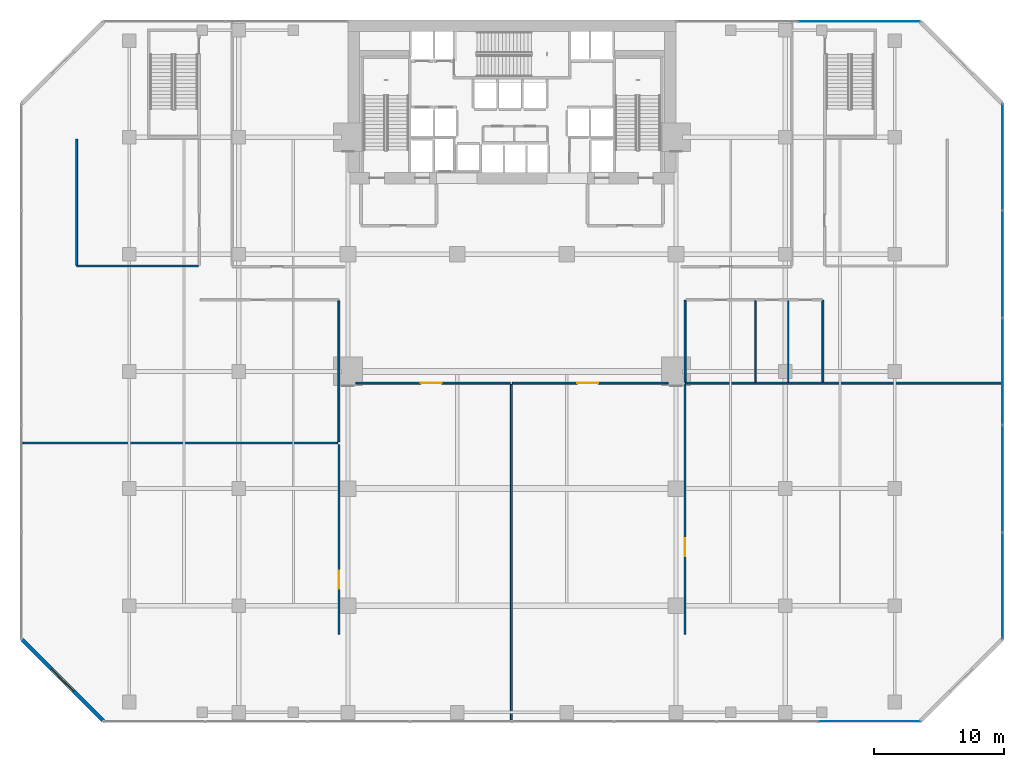
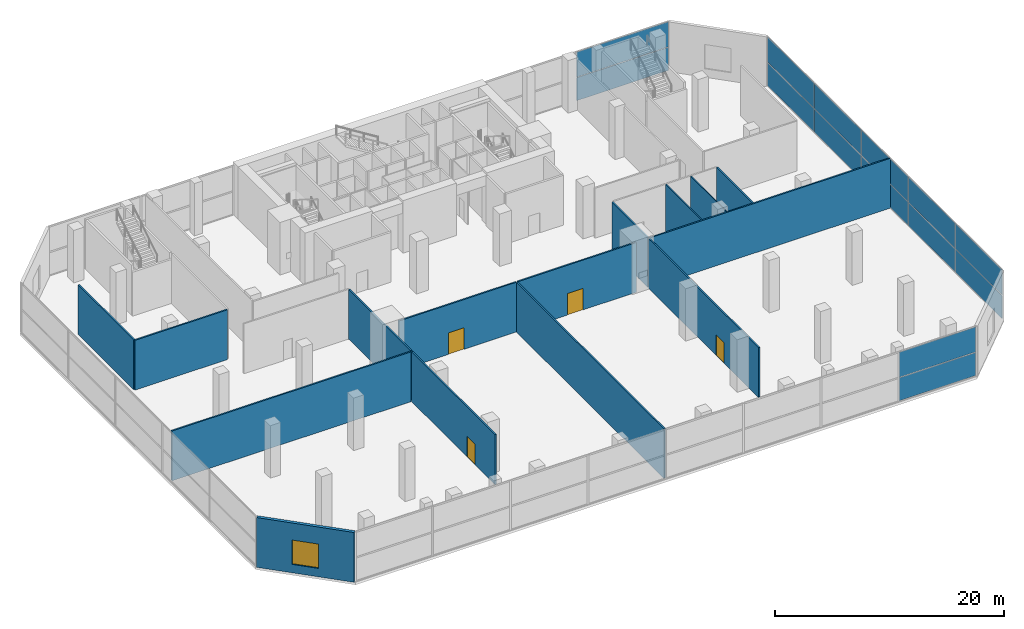
# One storey, part 34 of 40: 15 walls, 14 plates, 4 doors, 1 window, 5 openings, 3 elements without a shape of their own.
"""IFC4 building model written with IfcOpenShell, lengths in metres."""

from ifc_helpers import new_model, si_unit, direction, frame, frame_2d, origin, origin_2d, place, context, subcontext, project, spatial, rectangle, extrude, material, layer, layer_set, type_object, element, fill, aggregate, save


model = new_model("IFC4")

# Units and contexts
model_context = context("Model", 3, precision=1e-05, world=origin(), true_north=direction((0.0, 1.0)))
body_context = subcontext(model_context, "Body", "Model", "MODEL_VIEW")
ifc_project = project(units=[si_unit("LENGTHUNIT", "METRE"), si_unit("AREAUNIT", "SQUARE_METRE"), si_unit("VOLUMEUNIT", "CUBIC_METRE"), si_unit("PLANEANGLEUNIT", "RADIAN"), si_unit("MASSUNIT", "GRAM", prefix="KILO")], contexts=[model_context])

# Site, building, storey
site_placement = place(None, origin())
site = spatial("IfcSite", under=ifc_project, at=site_placement, CompositionType="ELEMENT")
building_placement = place(site_placement, origin())
building = spatial("IfcBuilding", under=site, at=building_placement, Name="Maruvema Waterfront Hotel and Observation Tower", CompositionType="ELEMENT")
storey_placement = place(building_placement, frame((0.0, 0.0, 10.85009765625)))
storey = spatial("IfcBuildingStorey", under=building, at=storey_placement, Name="L02", CompositionType="ELEMENT", Elevation=10.85009765625)

# Curtain wall, plates
ifc_material_1 = material(Name="Anodised bronze aluminium and solar-control low-E IGU", Category="aluminium")
ifc_layer_1 = layer(ifc_material_1, 0.159912109375, Name="Podium Waterfront Storefront Curtain Wall System CW-01")
ifc_layer_set_1 = layer_set([ifc_layer_1], Name="Anodised bronze aluminium and solar-control low-E IGU")
curtain_wall_type = type_object("IfcCurtainWallType", Name="Podium Waterfront Storefront Curtain Wall System CW-01", PredefinedType="USERDEFINED", material=ifc_layer_set_1)
curtain_wall_1_placement = place(storey_placement, origin())
curtain_wall_1 = element("IfcCurtainWall", 1, at=curtain_wall_1_placement, inside=storey, type_object=curtain_wall_type, Name="L02 Curtain Wall CW-L02-S", ObjectType="UNITISED CURTAIN WALL", PredefinedType="USERDEFINED")
ifc_material_2 = material(Name="Laminated low-E solar-control double glazing", Category="glass")
ifc_layer_2 = layer(ifc_material_2, 0.035888671875, Name="Solar Control Double-Glazed Curtain Panel 36 mm")
ifc_layer_set_2 = layer_set([ifc_layer_2], Name="Laminated low-E solar-control double glazing")
plate_type = type_object("IfcPlateType", Name="Solar Control Double-Glazed Curtain Panel 36 mm", PredefinedType="CURTAIN_PANEL", material=ifc_layer_set_2)
plate_1_placement = place(storey_placement, frame((65.260009765625, 0.1201171875, 0.059814453125), z_axis=(0.0, 0.0, 1.0), x_axis=(1.0, 0.0, 0.0)))
plate_1 = element("IfcPlate", 2, at=plate_1_placement, type_object=plate_type, Name="CW-01 panel 8.1", PredefinedType="CURTAIN_PANEL", context=body_context, shape_type="SweptSolid", body=[
    extrude(rectangle(XDim=7.760009765625, YDim=0.028076171875, at=origin_2d()), origin(), (0.0, 0.0, 1.0), 2.4599609375),
])
plate_2_placement = place(storey_placement, frame((65.260009765625, 0.1201171875, 2.580078125), z_axis=(0.0, 0.0, 1.0), x_axis=(1.0, 0.0, 0.0)))
plate_2 = element("IfcPlate", 3, at=plate_2_placement, type_object=plate_type, Name="CW-01 panel 8.2", PredefinedType="CURTAIN_PANEL", context=body_context, shape_type="SweptSolid", body=[
    extrude(rectangle(XDim=7.760009765625, YDim=0.028076171875, at=origin_2d()), origin(), (0.0, 0.0, 1.0), 2.679931640625),
])
aggregate(curtain_wall_1, [plate_1, plate_2])

curtain_wall_2_placement = place(storey_placement, origin())
curtain_wall_2 = element("IfcCurtainWall", 4, at=curtain_wall_2_placement, inside=storey, type_object=curtain_wall_type, Name="L02 Curtain Wall CW-L02-E", ObjectType="UNITISED CURTAIN WALL", PredefinedType="USERDEFINED")
plate_3_placement = place(storey_placement, frame((75.47998046875, 10.534912109375, 0.059814453125), z_axis=(0.0, 0.0, 1.0), x_axis=(0.0, 1.0, 0.0)))
plate_3 = element("IfcPlate", 5, at=plate_3_placement, type_object=plate_type, Name="CW-01 panel 1.1", PredefinedType="CURTAIN_PANEL", context=body_context, shape_type="SweptSolid", body=[
    extrude(rectangle(XDim=8.14990234375, YDim=0.028076171875, at=origin_2d()), origin(), (0.0, 0.0, 1.0), 2.4599609375),
])
plate_4_placement = place(storey_placement, frame((75.47998046875, 10.534912109375, 2.580078125), z_axis=(0.0, 0.0, 1.0), x_axis=(0.0, 1.0, 0.0)))
plate_4 = element("IfcPlate", 6, at=plate_4_placement, type_object=plate_type, Name="CW-01 panel 1.2", PredefinedType="CURTAIN_PANEL", context=body_context, shape_type="SweptSolid", body=[
    extrude(rectangle(XDim=8.14990234375, YDim=0.028076171875, at=origin_2d()), origin(), (0.0, 0.0, 1.0), 2.679931640625),
])
plate_5_placement = place(storey_placement, frame((75.47998046875, 18.760009765625, 0.059814453125), z_axis=(0.0, 0.0, 1.0), x_axis=(0.0, 1.0, 0.0)))
plate_5 = element("IfcPlate", 7, at=plate_5_placement, type_object=plate_type, Name="CW-01 panel 2.1", PredefinedType="CURTAIN_PANEL", context=body_context, shape_type="SweptSolid", body=[
    extrude(rectangle(XDim=8.179931640625, YDim=0.028076171875, at=origin_2d()), origin(), (0.0, 0.0, 1.0), 2.4599609375),
])
plate_6_placement = place(storey_placement, frame((75.47998046875, 18.760009765625, 2.580078125), z_axis=(0.0, 0.0, 1.0), x_axis=(0.0, 1.0, 0.0)))
plate_6 = element("IfcPlate", 8, at=plate_6_placement, type_object=plate_type, Name="CW-01 panel 2.2", PredefinedType="CURTAIN_PANEL", context=body_context, shape_type="SweptSolid", body=[
    extrude(rectangle(XDim=8.179931640625, YDim=0.028076171875, at=origin_2d()), origin(), (0.0, 0.0, 1.0), 2.679931640625),
])
plate_7_placement = place(storey_placement, frame((75.47998046875, 27.0, 0.059814453125), z_axis=(0.0, 0.0, 1.0), x_axis=(0.0, 1.0, 0.0)))
plate_7 = element("IfcPlate", 9, at=plate_7_placement, type_object=plate_type, Name="CW-01 panel 3.1", PredefinedType="CURTAIN_PANEL", context=body_context, shape_type="SweptSolid", body=[
    extrude(rectangle(XDim=8.179931640625, YDim=0.028076171875, at=origin_2d()), origin(), (0.0, 0.0, 1.0), 2.4599609375),
])
plate_8_placement = place(storey_placement, frame((75.47998046875, 27.0, 2.580078125), z_axis=(0.0, 0.0, 1.0), x_axis=(0.0, 1.0, 0.0)))
plate_8 = element("IfcPlate", 10, at=plate_8_placement, type_object=plate_type, Name="CW-01 panel 3.2", PredefinedType="CURTAIN_PANEL", context=body_context, shape_type="SweptSolid", body=[
    extrude(rectangle(XDim=8.179931640625, YDim=0.028076171875, at=origin_2d()), origin(), (0.0, 0.0, 1.0), 2.679931640625),
])
plate_9_placement = place(storey_placement, frame((75.47998046875, 35.239990234375, 0.059814453125), z_axis=(0.0, 0.0, 1.0), x_axis=(0.0, 1.0, 0.0)))
plate_9 = element("IfcPlate", 11, at=plate_9_placement, type_object=plate_type, Name="CW-01 panel 4.1", PredefinedType="CURTAIN_PANEL", context=body_context, shape_type="SweptSolid", body=[
    extrude(rectangle(XDim=8.179931640625, YDim=0.028076171875, at=origin_2d()), origin(), (0.0, 0.0, 1.0), 2.4599609375),
])
plate_10_placement = place(storey_placement, frame((75.47998046875, 35.239990234375, 2.580078125), z_axis=(0.0, 0.0, 1.0), x_axis=(0.0, 1.0, 0.0)))
plate_10 = element("IfcPlate", 12, at=plate_10_placement, type_object=plate_type, Name="CW-01 panel 4.2", PredefinedType="CURTAIN_PANEL", context=body_context, shape_type="SweptSolid", body=[
    extrude(rectangle(XDim=8.179931640625, YDim=0.028076171875, at=origin_2d()), origin(), (0.0, 0.0, 1.0), 2.679931640625),
])
plate_11_placement = place(storey_placement, frame((75.47998046875, 43.465087890625, 0.059814453125), z_axis=(0.0, 0.0, 1.0), x_axis=(0.0, 1.0, 0.0)))
plate_11 = element("IfcPlate", 13, at=plate_11_placement, type_object=plate_type, Name="CW-01 panel 5.1", PredefinedType="CURTAIN_PANEL", context=body_context, shape_type="SweptSolid", body=[
    extrude(rectangle(XDim=8.14990234375, YDim=0.028076171875, at=origin_2d()), origin(), (0.0, 0.0, 1.0), 2.4599609375),
])
plate_12_placement = place(storey_placement, frame((75.47998046875, 43.465087890625, 2.580078125), z_axis=(0.0, 0.0, 1.0), x_axis=(0.0, 1.0, 0.0)))
plate_12 = element("IfcPlate", 14, at=plate_12_placement, type_object=plate_type, Name="CW-01 panel 5.2", PredefinedType="CURTAIN_PANEL", context=body_context, shape_type="SweptSolid", body=[
    extrude(rectangle(XDim=8.14990234375, YDim=0.028076171875, at=origin_2d()), origin(), (0.0, 0.0, 1.0), 2.679931640625),
])
aggregate(curtain_wall_2, [plate_3, plate_4, plate_5, plate_6, plate_7, plate_8, plate_9, plate_10, plate_11, plate_12])

curtain_wall_3_placement = place(storey_placement, origin())
curtain_wall_3 = element("IfcCurtainWall", 15, at=curtain_wall_3_placement, inside=storey, type_object=curtain_wall_type, Name="L02 Curtain Wall CW-L02-NE", ObjectType="UNITISED CURTAIN WALL", PredefinedType="USERDEFINED")
plate_13_placement = place(storey_placement, frame((64.485107421875, 53.8798828125, 0.059814453125), z_axis=(0.0, 0.0, 1.0), x_axis=(-1.0, 0.0, 0.0)))
plate_13 = element("IfcPlate", 16, at=plate_13_placement, type_object=plate_type, Name="CW-01 panel 1.1", PredefinedType="CURTAIN_PANEL", context=body_context, shape_type="SweptSolid", body=[
    extrude(rectangle(XDim=9.31005859375, YDim=0.028076171875, at=origin_2d()), origin(), (0.0, 0.0, 1.0), 2.4599609375),
])
plate_14_placement = place(storey_placement, frame((64.485107421875, 53.8798828125, 2.580078125), z_axis=(0.0, 0.0, 1.0), x_axis=(-1.0, 0.0, 0.0)))
plate_14 = element("IfcPlate", 17, at=plate_14_placement, type_object=plate_type, Name="CW-01 panel 1.2", PredefinedType="CURTAIN_PANEL", context=body_context, shape_type="SweptSolid", body=[
    extrude(rectangle(XDim=9.31005859375, YDim=0.028076171875, at=origin_2d()), origin(), (0.0, 0.0, 1.0), 2.679931640625),
])
aggregate(curtain_wall_3, [plate_13, plate_14])

# Wall
ifc_material_3 = material(Name="Twin-stud acoustic gypsum drywall", Category="gypsum")
ifc_layer_3 = layer(ifc_material_3, 0.14990234375, Name="Acoustic Corridor and Suite Demising Wall 150 mm")
ifc_layer_set_3 = layer_set([ifc_layer_3], Name="Twin-stud acoustic gypsum drywall")
wall_type_1 = type_object("IfcWallType", Name="Acoustic Corridor and Suite Demising Wall 150 mm", PredefinedType="PARTITIONING", material=ifc_layer_set_3)
wall_1_placement = place(storey_placement, frame((37.75, 0.219970703125, 0.0), z_axis=(0.0, 0.0, 1.0), x_axis=(0.0, 1.0, 0.0)))
element("IfcWall", 18, at=wall_1_placement, inside=storey, type_object=wall_type_1, Name="L02 L02 Hall Partition 017", PredefinedType="PARTITIONING", context=body_context, shape_type="SweptSolid", body=[
    extrude(rectangle(XDim=25.780029296875, YDim=0.14990234375, at=frame_2d((12.89013671875, 0.0))), origin(), (0.0, 0.0, 1.0), 5.31982421875),
])

# Wall, opening, door
wall_2_placement = place(storey_placement, frame((25.800048828125, 26.10009765625, 0.0), z_axis=(0.0, 0.0, 1.0), x_axis=(1.0, 0.0, 0.0)))
wall_2 = element("IfcWall", 19, at=wall_2_placement, inside=storey, type_object=wall_type_1, Name="L02 L02 Hall S Wall 018", PredefinedType="PARTITIONING", context=body_context, shape_type="SweptSolid", body=[
    extrude(rectangle(XDim=11.8798828125, YDim=0.14990234375, at=frame_2d((5.93994140625, 0.0))), origin(), (0.0, 0.0, 1.0), 5.31982421875),
])
opening_1_placement = place(wall_2_placement, frame((5.0, 0.0, 0.0)))
opening_1 = element("IfcOpeningElement", 20, at=opening_1_placement, cuts=wall_2, Name="Opening DR-160", PredefinedType="OPENING", context=body_context, shape_type="SweptSolid", body=[
    extrude(rectangle(XDim=1.60009765625, YDim=2.300048828125, at=frame_2d((0.800048828125, 1.14990234375))), frame((0.0, 0.0849609375, 0.0), z_axis=(0.0, -1.0, 0.0), x_axis=(1.0, 0.0, 0.0)), (0.0, 0.0, 1.0), 0.169921875),
])
ifc_material_4 = material(Name="Acoustic veneered hardwood double leaf", Category="wood")
door_type_1 = type_object("IfcDoorType", Name="Ballroom and Lounge Double Door 1600x2300 mm", OperationType="DOUBLE_DOOR_SINGLE_SWING", PredefinedType="DOOR", material=ifc_material_4)
door_1_placement = place(opening_1_placement, origin())
door_1 = element("IfcDoor", 21, at=door_1_placement, inside=storey, type_object=door_type_1, Name="L02 Hall South Door", OperationType="DOUBLE_DOOR_SINGLE_SWING", OverallHeight=2.300048828125, OverallWidth=1.60009765625, PredefinedType="DOOR", context=body_context, shape_type="SweptSolid", body=[
    extrude(rectangle(XDim=1.60009765625, YDim=2.300048828125, at=frame_2d((0.800048828125, 1.14990234375))), frame((0.0, 0.02490234375, 0.0), z_axis=(0.0, -1.0, 0.0), x_axis=(1.0, 0.0, 0.0)), (0.0, 0.0, 1.0), 0.050048828125),
])
fill(opening_1, door_1)

wall_3_placement = place(storey_placement, frame((37.820068359375, 26.10009765625, 0.0), z_axis=(0.0, 0.0, 1.0), x_axis=(1.0, 0.0, 0.0)))
wall_3 = element("IfcWall", 22, at=wall_3_placement, inside=storey, type_object=wall_type_1, Name="L02 L02 Hall E Wall 019", PredefinedType="PARTITIONING", context=body_context, shape_type="SweptSolid", body=[
    extrude(rectangle(XDim=11.97998046875, YDim=0.14990234375, at=frame_2d((5.989990234375, 0.0))), origin(), (0.0, 0.0, 1.0), 5.31982421875),
])
opening_2_placement = place(wall_3_placement, frame((5.0, 0.0, 0.0)))
opening_2 = element("IfcOpeningElement", 23, at=opening_2_placement, cuts=wall_3, Name="Opening DR-160", PredefinedType="OPENING", context=body_context, shape_type="SweptSolid", body=[
    extrude(rectangle(XDim=1.60009765625, YDim=2.300048828125, at=frame_2d((0.800048828125, 1.14990234375))), frame((0.0, 0.0849609375, 0.0), z_axis=(0.0, -1.0, 0.0), x_axis=(1.0, 0.0, 0.0)), (0.0, 0.0, 1.0), 0.169921875),
])
door_2_placement = place(opening_2_placement, origin())
door_2 = element("IfcDoor", 24, at=door_2_placement, inside=storey, type_object=door_type_1, Name="L02 Hall East Door", OperationType="DOUBLE_DOOR_SINGLE_SWING", OverallHeight=2.300048828125, OverallWidth=1.60009765625, PredefinedType="DOOR", context=body_context, shape_type="SweptSolid", body=[
    extrude(rectangle(XDim=1.60009765625, YDim=2.300048828125, at=frame_2d((0.800048828125, 1.14990234375))), frame((0.0, 0.02490234375, 0.0), z_axis=(0.0, -1.0, 0.0), x_axis=(1.0, 0.0, 0.0)), (0.0, 0.0, 1.0), 0.050048828125),
])
fill(opening_2, door_2)

# Wall
wall_4_placement = place(storey_placement, frame((0.219970703125, 21.5, 0.0), z_axis=(0.0, 0.0, 1.0), x_axis=(1.0, 0.0, 0.0)))
element("IfcWall", 25, at=wall_4_placement, inside=storey, type_object=wall_type_1, Name="L02 L02 West Split 020", PredefinedType="PARTITIONING", context=body_context, shape_type="SweptSolid", body=[
    extrude(rectangle(XDim=24.179931640625, YDim=0.14990234375, at=frame_2d((12.08984375, 0.0))), origin(), (0.0, 0.0, 1.0), 5.31982421875),
])

# Wall, opening, door
wall_5_placement = place(storey_placement, frame((24.5, 6.800048828125, 0.0), z_axis=(0.0, 0.0, 1.0), x_axis=(0.0, 1.0, 0.0)))
wall_5 = element("IfcWall", 26, at=wall_5_placement, inside=storey, type_object=wall_type_1, Name="L02 L02 Kitchen East Wall 022", PredefinedType="PARTITIONING", context=body_context, shape_type="SweptSolid", body=[
    extrude(rectangle(XDim=14.599853515625, YDim=0.14990234375, at=frame_2d((7.2998046875, 0.0))), origin(), (0.0, 0.0, 1.0), 5.31982421875),
])
opening_3_placement = place(wall_5_placement, frame((3.5, 0.0, 0.0)))
opening_3 = element("IfcOpeningElement", 27, at=opening_3_placement, cuts=wall_5, Name="Opening DR-140", PredefinedType="OPENING", context=body_context, shape_type="SweptSolid", body=[
    extrude(rectangle(XDim=1.39990234375, YDim=2.199951171875, at=frame_2d((0.699951171875, 1.10009765625))), frame((0.0, 0.0849609375, 0.0), z_axis=(0.0, -1.0, 0.0), x_axis=(1.0, 0.0, 0.0)), (0.0, 0.0, 1.0), 0.169921875),
])
ifc_material_5 = material(Name="Anodised bronze framed acoustic glass leaf", Category="glass")
door_type_2 = type_object("IfcDoorType", Name="Conference and Restaurant Double Door 1400x2200 mm", OperationType="DOUBLE_DOOR_SINGLE_SWING", PredefinedType="DOOR", material=ifc_material_5)
door_3_placement = place(opening_3_placement, origin())
door_3 = element("IfcDoor", 28, at=door_3_placement, inside=storey, type_object=door_type_2, Name="L02 Banquet Kitchen Door", OperationType="DOUBLE_DOOR_SINGLE_SWING", OverallHeight=2.199951171875, OverallWidth=1.39990234375, PredefinedType="DOOR", context=body_context, shape_type="SweptSolid", body=[
    extrude(rectangle(XDim=1.39990234375, YDim=2.199951171875, at=frame_2d((0.699951171875, 1.10009765625))), frame((0.0, 0.02490234375, 0.0), z_axis=(0.0, -1.0, 0.0), x_axis=(1.0, 0.0, 0.0)), (0.0, 0.0, 1.0), 0.050048828125),
])
fill(opening_3, door_3)

# Walls
wall_6_placement = place(storey_placement, frame((24.5, 21.60009765625, 0.0), z_axis=(0.0, 0.0, 1.0), x_axis=(0.0, 1.0, 0.0)))
element("IfcWall", 29, at=wall_6_placement, inside=storey, type_object=wall_type_1, Name="L02 L02 Boardroom East Wall 023", PredefinedType="PARTITIONING", context=body_context, shape_type="SweptSolid", body=[
    extrude(rectangle(XDim=10.81982421875, YDim=0.14990234375, at=frame_2d((5.409912109375, 0.0))), origin(), (0.0, 0.0, 1.0), 5.31982421875),
])
wall_7_placement = place(storey_placement, frame((4.35009765625, 35.10009765625, 0.0), z_axis=(0.0, 0.0, 1.0), x_axis=(1.0, 0.0, 0.0)))
element("IfcWall", 30, at=wall_7_placement, inside=storey, type_object=wall_type_1, Name="L02 L02 Catering South Wall 027", PredefinedType="PARTITIONING", context=body_context, shape_type="SweptSolid", body=[
    extrude(rectangle(XDim=9.349853515625, YDim=0.14990234375, at=frame_2d((4.6748046875, 0.0))), origin(), (0.0, 0.0, 1.0), 5.31982421875),
])
wall_8_placement = place(storey_placement, frame((4.35009765625, 35.14990234375, 0.0), z_axis=(0.0, 0.0, 1.0), x_axis=(0.0, 1.0, 0.0)))
element("IfcWall", 31, at=wall_8_placement, inside=storey, type_object=wall_type_1, Name="L02 L02 Catering West Wall 028", PredefinedType="PARTITIONING", context=body_context, shape_type="SweptSolid", body=[
    extrude(rectangle(XDim=9.7001953125, YDim=0.14990234375, at=frame_2d((4.85009765625, 0.0))), origin(), (0.0, 0.0, 1.0), 5.31982421875),
])
for number, where, z_axis, x_axis, name in (
    (32, (51.10009765625, 26.179931640625, 0.0), (0.0, 0.0, 1.0), (0.0, 1.0, 0.0), "L02 L02 Toilet West Wall 032"),
    (33, (61.679931640625, 26.179931640625, 0.0), (0.0, 0.0, 1.0), (0.0, 1.0, 0.0), "L02 L02 Acc WC East Wall 033"),
):
    element("IfcWall", number, at=place(storey_placement, frame(where, z_axis=z_axis, x_axis=x_axis)), inside=storey, type_object=wall_type_1, Name=name, PredefinedType="PARTITIONING", context=body_context, shape_type="SweptSolid", body=[
        extrude(rectangle(XDim=6.27001953125, YDim=0.14990234375, at=frame_2d((3.135009765625, 0.0))), origin(), (0.0, 0.0, 1.0), 5.31982421875),
    ])

# Wall, opening, door
wall_9_placement = place(storey_placement, frame((51.10009765625, 6.800048828125, 0.0), z_axis=(0.0, 0.0, 1.0), x_axis=(0.0, 1.0, 0.0)))
wall_9 = element("IfcWall", 34, at=wall_9_placement, inside=storey, type_object=wall_type_1, Name="L02 L02 Seminar West Wall 036", PredefinedType="PARTITIONING", context=body_context, shape_type="SweptSolid", body=[
    extrude(rectangle(XDim=19.199951171875, YDim=0.14990234375, at=frame_2d((9.60009765625, 0.0))), origin(), (0.0, 0.0, 1.0), 5.31982421875),
])
opening_4_placement = place(wall_9_placement, frame((6.0, 0.0, 0.0)))
opening_4 = element("IfcOpeningElement", 35, at=opening_4_placement, cuts=wall_9, Name="Opening DR-140", PredefinedType="OPENING", context=body_context, shape_type="SweptSolid", body=[
    extrude(rectangle(XDim=1.39990234375, YDim=2.199951171875, at=frame_2d((0.699951171875, 1.10009765625))), frame((0.0, 0.0849609375, 0.0), z_axis=(0.0, -1.0, 0.0), x_axis=(1.0, 0.0, 0.0)), (0.0, 0.0, 1.0), 0.169921875),
])
door_4_placement = place(opening_4_placement, frame((1.39990234375, 0.0, 0.0), z_axis=(0.0, 0.0, 1.0), x_axis=(-1.0, 0.0, 0.0)))
door_4 = element("IfcDoor", 36, at=door_4_placement, inside=storey, type_object=door_type_2, Name="L02 Seminar Door", OperationType="DOUBLE_DOOR_SINGLE_SWING", OverallHeight=2.199951171875, OverallWidth=1.39990234375, PredefinedType="DOOR", context=body_context, shape_type="SweptSolid", body=[
    extrude(rectangle(XDim=1.39990234375, YDim=2.199951171875, at=frame_2d((0.699951171875, 1.10009765625))), frame((0.0, 0.02490234375, 0.0), z_axis=(0.0, -1.0, 0.0), x_axis=(1.0, 0.0, 0.0)), (0.0, 0.0, 1.0), 0.050048828125),
])
fill(opening_4, door_4)

# Walls
wall_10_placement = place(storey_placement, frame((51.1201171875, 26.10009765625, 0.0), z_axis=(0.0, 0.0, 1.0), x_axis=(1.0, 0.0, 0.0)))
element("IfcWall", 37, at=wall_10_placement, inside=storey, type_object=wall_type_1, Name="L02 L02 Seminar North Wall 037", PredefinedType="PARTITIONING", context=body_context, shape_type="SweptSolid", body=[
    extrude(rectangle(XDim=24.33984375, YDim=0.14990234375, at=frame_2d((12.169921875, 0.0))), origin(), (0.0, 0.0, 1.0), 5.31982421875),
])
ifc_material_6 = material(Name="Moisture-resistant cement-board drywall", Category="gypsum")
ifc_layer_4 = layer(ifc_material_6, 0.10009765625, Name="En-Suite Moisture-Resistant Partition 100 mm")
ifc_layer_set_4 = layer_set([ifc_layer_4], Name="Moisture-resistant cement-board drywall")
wall_type_2 = type_object("IfcWallType", Name="En-Suite Moisture-Resistant Partition 100 mm", PredefinedType="PARTITIONING", material=ifc_layer_set_4)
for number, where, z_axis, x_axis, name in (
    (38, (56.5, 26.179931640625, 0.0), (0.0, 0.0, 1.0), (0.0, 1.0, 0.0), "L02 L02 WC Split 034"),
    (39, (59.02001953125, 26.179931640625, 0.0), (0.0, 0.0, 1.0), (0.0, 1.0, 0.0), "L02 L02 WC Linen Split 035"),
):
    element("IfcWall", number, at=place(storey_placement, frame(where, z_axis=z_axis, x_axis=x_axis)), inside=storey, type_object=wall_type_2, Name=name, PredefinedType="PARTITIONING", context=body_context, shape_type="SweptSolid", body=[
        extrude(rectangle(XDim=6.239990234375, YDim=0.10009765625, at=frame_2d((3.1201171875, 0.0))), origin(), (0.0, 0.0, 1.0), 5.31982421875),
    ])

# Wall, opening, window
ifc_material_7 = material(Name="Precast concrete C45/55 with honed Pernambuco granite facing", Category="masonry")
ifc_layer_5 = layer(ifc_material_7, 0.300048828125, Name="Podium Waterfront Granite Colonnade Wall 300 mm")
ifc_layer_set_5 = layer_set([ifc_layer_5], Name="Precast concrete C45/55 with honed Pernambuco granite facing")
wall_type_3 = type_object("IfcWallType", Name="Podium Waterfront Granite Colonnade Wall 300 mm", PredefinedType="SOLIDWALL", material=ifc_layer_set_5)
wall_11_placement = place(storey_placement, frame((0.14990234375, 6.39990234375, 0.0), z_axis=(0.0, 0.0, 1.0), x_axis=(0.707106781187, -0.707106781187, 0.0)))
wall_11 = element("IfcWall", 40, at=wall_11_placement, inside=storey, type_object=wall_type_3, Name="L02 Podium Chamfer Granite Pier Wall SW", PredefinedType="SOLIDWALL", context=body_context, shape_type="SweptSolid", body=[
    extrude(rectangle(XDim=8.8388671875, YDim=0.300048828125, at=frame_2d((4.41943359375, 0.0))), origin(), (0.0, 0.0, 1.0), 5.31982421875),
])
opening_5_placement = place(wall_11_placement, frame((3.199951171875, 0.0, 0.89990234375)))
opening_5 = element("IfcOpeningElement", 41, at=opening_5_placement, cuts=wall_11, Name="Opening WN-04", PredefinedType="OPENING", context=body_context, shape_type="SweptSolid", body=[
    extrude(rectangle(XDim=2.39990234375, YDim=2.60009765625, at=frame_2d((1.199951171875, 1.300048828125))), frame((0.0, 0.16015625, 0.0), z_axis=(0.0, -1.0, 0.0), x_axis=(1.0, 0.0, 0.0)), (0.0, 0.0, 1.0), 0.320068359375),
])
ifc_material_8 = material(Name="Anodised bronze aluminium frame with laminated low-E glass", Category="aluminium")
window_type = type_object("IfcWindowType", Name="Podium Waterfront Punched Window 2400x2600 mm", PartitioningType="SINGLE_PANEL", PredefinedType="WINDOW", material=ifc_material_8)
window_placement = place(opening_5_placement, origin())
window = element("IfcWindow", 42, at=window_placement, inside=storey, type_object=window_type, Name="L02 Podium Chamfer Feature Window SW", OverallHeight=2.60009765625, OverallWidth=2.39990234375, PartitioningType="SINGLE_PANEL", PredefinedType="WINDOW", context=body_context, shape_type="SweptSolid", body=[
    extrude(rectangle(XDim=2.39990234375, YDim=2.60009765625, at=frame_2d((1.199951171875, 1.300048828125))), frame((0.0, 0.030029296875, 0.0), z_axis=(0.0, -1.0, 0.0), x_axis=(1.0, 0.0, 0.0)), (0.0, 0.0, 1.0), 0.06005859375),
])
fill(opening_5, window)

save(model, "model.ifc")
